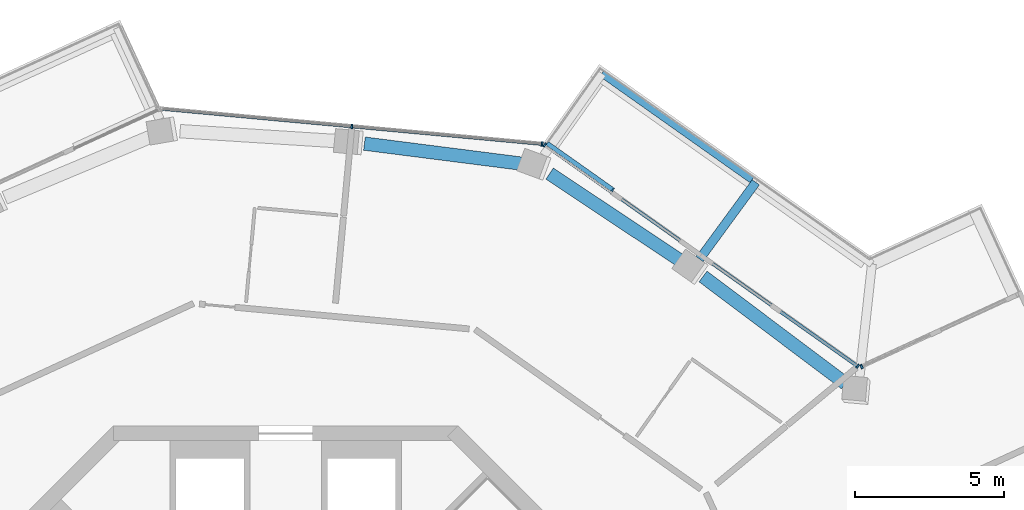
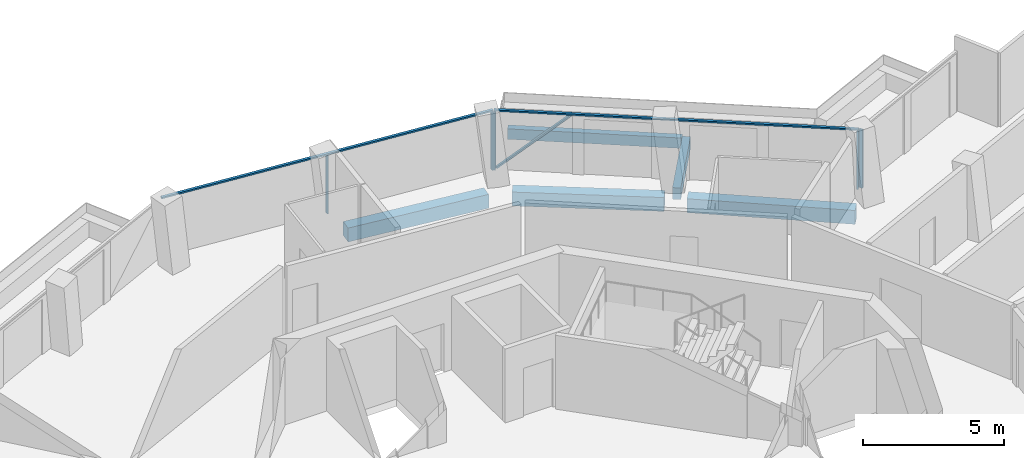
# One storey, part 9 of 23: 8 members, 5 beams, 3 elements without a shape of their own.
"""IFC4 building model written with IfcOpenShell, lengths in metres."""

from ifc_helpers import new_model, si_unit, direction, frame, origin, origin_2d, place, context, subcontext, project, spatial, rectangle, extrude, material, layer, layer_set, material_profile, profile_set, type_object, element, aggregate, save


model = new_model("IFC4")

# Units and contexts
model_context = context("Model", 3, precision=1e-05, world=origin(), true_north=direction((0.0, 1.0)))
body_context = subcontext(model_context, "Body", "Model", "MODEL_VIEW")
ifc_project = project(units=[si_unit("LENGTHUNIT", "METRE"), si_unit("AREAUNIT", "SQUARE_METRE"), si_unit("VOLUMEUNIT", "CUBIC_METRE"), si_unit("PLANEANGLEUNIT", "RADIAN"), si_unit("MASSUNIT", "GRAM", prefix="KILO")], contexts=[model_context])

# Site, building, storey
site_placement = place(None, origin())
site = spatial("IfcSite", under=ifc_project, at=site_placement, CompositionType="ELEMENT")
building_placement = place(site_placement, origin())
building = spatial("IfcBuilding", under=site, at=building_placement, Name="Verdalira Terraces Hotel", CompositionType="ELEMENT")
storey_placement = place(building_placement, frame((0.0, 0.0, 256.0)))
storey = spatial("IfcBuildingStorey", under=building, at=storey_placement, Name="L63", CompositionType="ELEMENT", Elevation=256.0)

# Beams
ifc_material_1 = material(Name="Concrete C40", Category="concrete")
ifc_material_profile_1 = material_profile(ifc_material_1, rectangle(XDim=0.300049, YDim=0.5, at=origin_2d()), Name="RC 300X500")
ifc_profile_set_1 = profile_set([ifc_material_profile_1], Name="Concrete C40")
beam_type_1 = type_object("IfcBeamType", Name="Balcony cantilever beam RC 300X500 C40", PredefinedType="BEAM", material=ifc_profile_set_1)
beam_1_placement = place(storey_placement, frame((13.929443, 19.615234, -0.560059), z_axis=(0.591115638, 0.806586823, 0.0), x_axis=(-0.806586823, 0.591115638, 0.0)))
element("IfcBeam", 1, at=beam_1_placement, inside=storey, type_object=beam_type_1, Name="Balcony cantilever beam R38-2", PredefinedType="BEAM", context=body_context, shape_type="SweptSolid", body=[
    extrude(rectangle(XDim=0.300049, YDim=0.5, at=origin_2d()), origin(), (0.0, 0.0, 1.0), 3.200928),
])
ifc_material_2 = material(Name="Concrete C40", Category="concrete")
ifc_material_profile_2 = material_profile(ifc_material_2, rectangle(XDim=0.25, YDim=0.449951, at=origin_2d()), Name="RC 250X450")
ifc_profile_set_2 = profile_set([ifc_material_profile_2], Name="Concrete C40")
beam_type_2 = type_object("IfcBeamType", Name="Balcony edge beam RC 250X450 C40", PredefinedType="BEAM", material=ifc_profile_set_2)
beam_2_placement = place(storey_placement, frame((15.699219, 22.283691, -0.534912), z_axis=(-0.816358096, 0.577546067, 0.0), x_axis=(-0.577546067, -0.816358096, 0.0)))
element("IfcBeam", 2, at=beam_2_placement, inside=storey, type_object=beam_type_2, Name="Balcony edge beam R38-2", PredefinedType="BEAM", context=body_context, shape_type="SweptSolid", body=[
    extrude(rectangle(XDim=0.25, YDim=0.449951, at=origin_2d()), origin(), (0.0, 0.0, 1.0), 6.196289),
])

# Curtain wall, members
ifc_material_3 = material(Name="Clear glass", Category="glass")
ifc_layer_1 = layer(ifc_material_3, 0.14990234375)
ifc_layer_set_1 = layer_set([ifc_layer_1], Name="CW1 curtain wall")
curtain_wall_type_1 = type_object("IfcCurtainWallType", Name="CW1 curtain wall", PredefinedType="NOTDEFINED", material=ifc_layer_set_1)
curtain_wall_1_placement = place(storey_placement, origin())
curtain_wall_1 = element("IfcCurtainWall", 3, at=curtain_wall_1_placement, inside=storey, type_object=curtain_wall_type_1, Name="CW1 curtain wall L63 edge 39", PredefinedType="NOTDEFINED")
ifc_material_4 = material(Name="Terracotta frame", Category="masonry")
ifc_material_profile_3 = material_profile(ifc_material_4, rectangle(XDim=0.060059, YDim=0.149902, at=origin_2d()), Name="MU 60x150")
ifc_profile_set_3 = profile_set([ifc_material_profile_3], Name="Terracotta frame")
member_type_1 = type_object("IfcMemberType", Name="CW1 mullion 60x150", PredefinedType="MULLION", material=ifc_profile_set_3)
member_1_placement = place(storey_placement, frame((19.249268, 16.004883, 0.0), z_axis=(0.0, 0.0, 1.0), x_axis=(-0.816339251, 0.577572703, 0.0)))
member_1 = element("IfcMember", 4, at=member_1_placement, type_object=member_type_1, Name="CW1 mullion", PredefinedType="MULLION", context=body_context, shape_type="SweptSolid", body=[
    extrude(rectangle(XDim=0.060059, YDim=0.149902, at=origin_2d()), origin(), (0.0, 0.0, 1.0), 2.524902),
])
member_2_placement = place(storey_placement, frame((8.71875, 23.455566, 0.0), z_axis=(0.0, 0.0, 1.0), x_axis=(-0.816339251, 0.577572703, 0.0)))
member_2 = element("IfcMember", 5, at=member_2_placement, type_object=member_type_1, Name="CW1 mullion", PredefinedType="MULLION", context=body_context, shape_type="SweptSolid", body=[
    extrude(rectangle(XDim=0.060059, YDim=0.149902, at=origin_2d()), origin(), (0.0, 0.0, 1.0), 2.524902),
])

curtain_wall_2_placement = place(storey_placement, origin())
curtain_wall_2 = element("IfcCurtainWall", 6, at=curtain_wall_2_placement, inside=storey, type_object=curtain_wall_type_1, Name="CW1 curtain wall L63 edge 40", PredefinedType="NOTDEFINED")
member_3_placement = place(storey_placement, frame((8.62793, 23.489014, 0.0), z_axis=(0.0, 0.0, 1.0), x_axis=(-0.995756881, 0.092023008, 0.0)))
member_3 = element("IfcMember", 7, at=member_3_placement, type_object=member_type_1, Name="CW1 mullion", PredefinedType="MULLION", context=body_context, shape_type="SweptSolid", body=[
    extrude(rectangle(XDim=0.060059, YDim=0.149902, at=origin_2d()), origin(), (0.0, 0.0, 1.0), 2.524902),
])
member_4_placement = place(storey_placement, frame((2.225342, 24.080811, 0.0), z_axis=(0.0, 0.0, 1.0), x_axis=(-0.995756881, 0.092023008, 0.0)))
member_4 = element("IfcMember", 8, at=member_4_placement, type_object=member_type_1, Name="CW1 mullion", PredefinedType="MULLION", context=body_context, shape_type="SweptSolid", body=[
    extrude(rectangle(XDim=0.060059, YDim=0.149902, at=origin_2d()), origin(), (0.0, 0.0, 1.0), 2.524902),
])

# Member
ifc_material_5 = material(Name="Terracotta frame", Category="masonry")
ifc_material_profile_4 = material_profile(ifc_material_5, rectangle(XDim=0.110107, YDim=0.064941, at=origin_2d()), Name="TR 65x110")
ifc_profile_set_4 = profile_set([ifc_material_profile_4], Name="Terracotta frame")
member_type_2 = type_object("IfcMemberType", Name="CW1 transom 65x110", PredefinedType="USERDEFINED", material=ifc_profile_set_4)
member_5_placement = place(storey_placement, frame((19.273926, 15.987549, 2.557617), z_axis=(-0.816334617, 0.577579253, 0.0), x_axis=(-0.577579253, -0.816334617, 0.0)))
member_5 = element("IfcMember", 9, at=member_5_placement, type_object=member_type_2, Name="CW1 transom", ObjectType="TRANSOM", PredefinedType="USERDEFINED", context=body_context, shape_type="SweptSolid", body=[
    extrude(rectangle(XDim=0.110107, YDim=0.064941, at=origin_2d()), origin(), (0.0, 0.0, 1.0), 12.959961),
])

member_6_placement = place(storey_placement, frame((8.657715, 23.486328, 2.557617), z_axis=(-0.995758133, 0.092009457, 0.0), x_axis=(-0.092009457, -0.995758133, 0.0)))
member_6 = element("IfcMember", 10, at=member_6_placement, type_object=member_type_2, Name="CW1 transom", ObjectType="TRANSOM", PredefinedType="USERDEFINED", context=body_context, shape_type="SweptSolid", body=[
    extrude(rectangle(XDim=0.110107, YDim=0.064941, at=origin_2d()), origin(), (0.0, 0.0, 1.0), 12.919434),
])

aggregate(curtain_wall_2, [member_3, member_4, member_6])

# Curtain wall, member
ifc_material_6 = material(Name="Clear glass", Category="glass")
ifc_layer_2 = layer(ifc_material_6, 0.14990234375)
ifc_layer_set_2 = layer_set([ifc_layer_2], Name="CW2 curtain wall")
curtain_wall_type_2 = type_object("IfcCurtainWallType", Name="CW2 curtain wall", PredefinedType="NOTDEFINED", material=ifc_layer_set_2)
curtain_wall_3_placement = place(storey_placement, origin())
curtain_wall_3 = element("IfcCurtainWall", 11, at=curtain_wall_3_placement, inside=storey, type_object=curtain_wall_type_2, Name="CW2 curtain wall L63 edge 38", PredefinedType="NOTDEFINED")
ifc_material_7 = material(Name="Terracotta frame", Category="masonry")
ifc_material_profile_5 = material_profile(ifc_material_7, rectangle(XDim=0.070068, YDim=0.149902, at=origin_2d()), Name="MU 70x150")
ifc_profile_set_5 = profile_set([ifc_material_profile_5], Name="Terracotta frame")
member_type_3 = type_object("IfcMemberType", Name="CW2 mullion 70x150", PredefinedType="MULLION", material=ifc_profile_set_5)
member_7_placement = place(storey_placement, frame((19.380371, 15.995361, 0.0), z_axis=(0.0, 0.0, 1.0), x_axis=(-0.908362259, -0.418184178, 0.0)))
member_7 = element("IfcMember", 12, at=member_7_placement, type_object=member_type_3, Name="CW2 mullion", PredefinedType="MULLION", context=body_context, shape_type="SweptSolid", body=[
    extrude(rectangle(XDim=0.070068, YDim=0.149902, at=origin_2d()), origin(), (0.0, 0.0, 1.0), 2.524902),
])
aggregate(curtain_wall_3, [member_7])

# Member
ifc_material_8 = material(Name="Terracotta frame", Category="masonry")
ifc_material_profile_6 = material_profile(ifc_material_8, rectangle(XDim=0.149902, YDim=0.060059, at=origin_2d()), Name="GB 60x150")
ifc_profile_set_6 = profile_set([ifc_material_profile_6], Name="Terracotta frame")
member_type_4 = type_object("IfcMemberType", Name="Diagonal glazing bar 60x150", PredefinedType="USERDEFINED", material=ifc_profile_set_6)
member_8_placement = place(storey_placement, frame((11.009521, 21.943848, 2.501709), z_axis=(-0.600156962, 0.424590849, -0.677889543), x_axis=(-0.577545939, -0.816358187, 0.0)))
member_8 = element("IfcMember", 13, at=member_8_placement, type_object=member_type_4, Name="Diagonal glazing bar", ObjectType="GLAZING BAR", PredefinedType="USERDEFINED", context=body_context, shape_type="SweptSolid", body=[
    extrude(rectangle(XDim=0.149902, YDim=0.060059, at=origin_2d()), origin(), (0.0, 0.0, 1.0), 3.655762),
])

aggregate(curtain_wall_1, [member_1, member_2, member_5, member_8])

# Beams
ifc_material_9 = material(Name="Concrete C40", Category="concrete")
ifc_material_profile_7 = material_profile(ifc_material_9, rectangle(XDim=0.449951, YDim=0.600098, at=origin_2d()), Name="RC 450X600")
ifc_profile_set_7 = profile_set([ifc_material_profile_7], Name="Concrete C40")
beam_type_3 = type_object("IfcBeamType", Name="Spandrel beam RC 450X600 C40", PredefinedType="SPANDREL", material=ifc_profile_set_7)
beam_3_placement = place(storey_placement, frame((18.839844, 15.424805, -0.610107), z_axis=(-0.79937452, 0.600833068, 0.0), x_axis=(-0.600833068, -0.79937452, 0.0)))
element("IfcBeam", 14, at=beam_3_placement, inside=storey, type_object=beam_type_3, Name="Spandrel beam B18", PredefinedType="SPANDREL", context=body_context, shape_type="SweptSolid", body=[
    extrude(rectangle(XDim=0.449951, YDim=0.600098, at=origin_2d()), origin(), (0.0, 0.0, 1.0), 5.999512),
])
beam_4_placement = place(storey_placement, frame((13.372559, 19.50415, -0.610107), z_axis=(-0.832676393, 0.553759897, 0.0), x_axis=(-0.553759897, -0.832676393, 0.0)))
element("IfcBeam", 15, at=beam_4_placement, inside=storey, type_object=beam_type_3, Name="Spandrel beam B19", PredefinedType="SPANDREL", context=body_context, shape_type="SweptSolid", body=[
    extrude(rectangle(XDim=0.449951, YDim=0.600098, at=origin_2d()), origin(), (0.0, 0.0, 1.0), 5.394531),
])
beam_5_placement = place(storey_placement, frame((8.003174, 22.81665, -0.610107), z_axis=(-0.991962952, 0.126528656, 0.0), x_axis=(-0.126528656, -0.991962952, 0.0)))
element("IfcBeam", 16, at=beam_5_placement, inside=storey, type_object=beam_type_3, Name="Spandrel beam B20", PredefinedType="SPANDREL", context=body_context, shape_type="SweptSolid", body=[
    extrude(rectangle(XDim=0.449951, YDim=0.600098, at=origin_2d()), origin(), (0.0, 0.0, 1.0), 5.396973),
])

save(model, "model.ifc")
